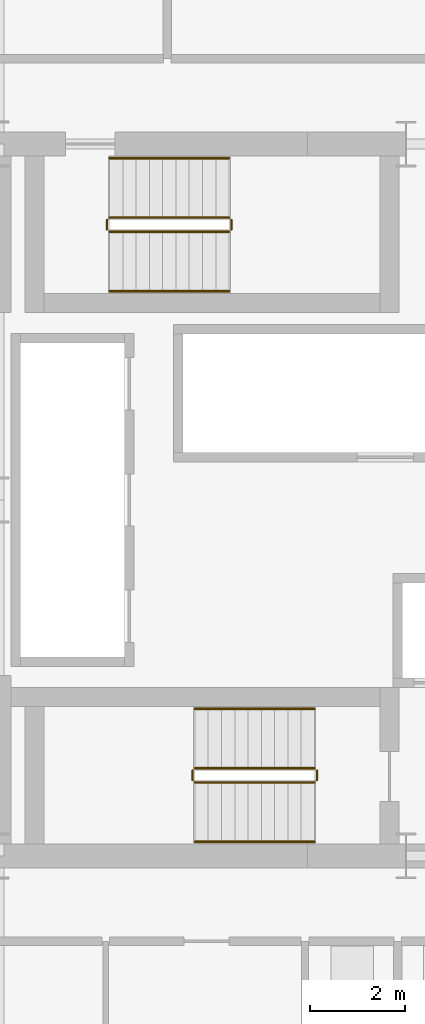
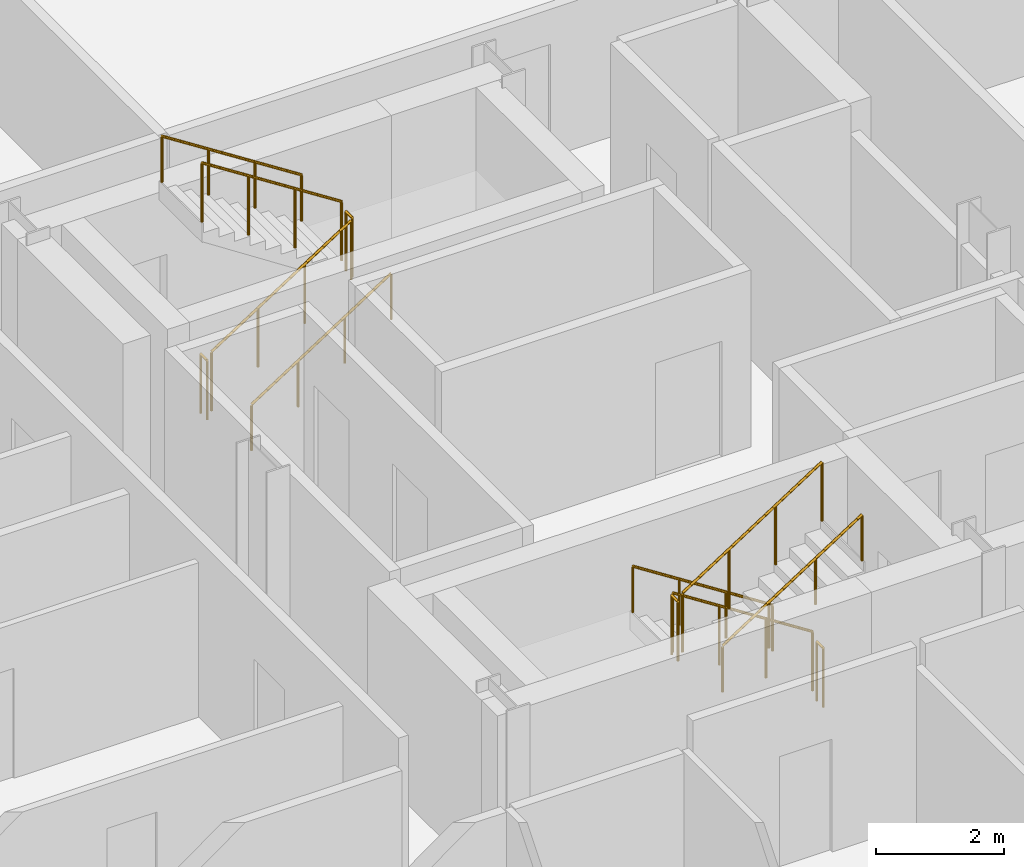
# One storey, part 22 of 23: 12 railings.
"""IFC4 building model written with IfcOpenShell, lengths in metres."""

from ifc_helpers import new_model, si_unit, direction, frame, origin, origin_2d, place, context, subcontext, project, spatial, circle, extrude, material, type_object, element, save


model = new_model("IFC4")

# Units and contexts
model_context = context("Model", 3, precision=1e-05, world=origin(), true_north=direction((0.0, 1.0)))
body_context = subcontext(model_context, "Body", "Model", "MODEL_VIEW")
ifc_project = project(units=[si_unit("LENGTHUNIT", "METRE"), si_unit("AREAUNIT", "SQUARE_METRE"), si_unit("VOLUMEUNIT", "CUBIC_METRE"), si_unit("PLANEANGLEUNIT", "RADIAN"), si_unit("MASSUNIT", "GRAM", prefix="KILO")], contexts=[model_context])

# Site, building, storey
site_placement = place(None, origin())
site = spatial("IfcSite", under=ifc_project, at=site_placement, CompositionType="ELEMENT")
building_placement = place(site_placement, origin())
building = spatial("IfcBuilding", under=site, at=building_placement, Name="Barlavira Tower and Art Museum", CompositionType="ELEMENT")
storey_placement = place(building_placement, frame((0.0, 0.0, 36.0)))
storey = spatial("IfcBuildingStorey", under=building, at=storey_placement, Name="L07", CompositionType="ELEMENT", Elevation=36.0)

# Railings
ifc_material = material(Name="Brushed stainless steel", Category="steel")
railing_type_1 = type_object("IfcRailingType", Name="Interior Void and Landing Guard Railing 1150", PredefinedType="GUARDRAIL", material=ifc_material)
railing_1_placement = place(storey_placement, frame((0.14990234375, -5.64990234375, 0.179931640625)))
element("IfcRailing", 1, at=railing_1_placement, inside=storey, type_object=railing_type_1, Name="L07 ST-T1 stair guard 1", PredefinedType="GUARDRAIL", context=body_context, shape_type="SweptSolid", body=[
    extrude(circle(Radius=0.02392578125, at=origin_2d()), frame((0.0, 0.0, 1.1259765625), z_axis=(-0.841162588446, 0.0, 0.540782303519), x_axis=(0.0, -1.0, 0.0)), (0.0, 0.0, 1.0), 2.995849609375),
    extrude(circle(Radius=0.02099609375, at=origin_2d()), origin(), (0.0, 0.0, 1.0), 1.101806640625),
    extrude(circle(Radius=0.02099609375, at=origin_2d()), frame((-0.840087890625, 0.0, 0.5400390625)), (0.0, 0.0, 1.0), 1.101806640625),
    extrude(circle(Radius=0.02099609375, at=origin_2d()), frame((-1.679931640625, 0.0, 1.080078125)), (0.0, 0.0, 1.0), 1.101806640625),
    extrude(circle(Radius=0.02099609375, at=origin_2d()), frame((-2.52001953125, 0.0, 1.6201171875)), (0.0, 0.0, 1.0), 1.101806640625),
])
railing_2_placement = place(storey_placement, frame((-2.419921875, -5.699951171875, 1.800048828125)))
element("IfcRailing", 2, at=railing_2_placement, inside=storey, type_object=railing_type_1, Name="L07 ST-T1 stair guard 2", PredefinedType="GUARDRAIL", context=body_context, shape_type="SweptSolid", body=[
    extrude(circle(Radius=0.02392578125, at=origin_2d()), frame((0.0, 0.0, 1.1259765625), z_axis=(0.0, -1.0, 0.0), x_axis=(1.0, 0.0, 0.0)), (0.0, 0.0, 1.0), 0.199951171875),
    extrude(circle(Radius=0.02099609375, at=origin_2d()), origin(), (0.0, 0.0, 1.0), 1.101806640625),
    extrude(circle(Radius=0.02099609375, at=origin_2d()), frame((0.0, -0.199951171875, 0.0)), (0.0, 0.0, 1.0), 1.101806640625),
])
railing_3_placement = place(storey_placement, frame((-2.3701171875, -5.949951171875, 1.97998046875)))
element("IfcRailing", 3, at=railing_3_placement, inside=storey, type_object=railing_type_1, Name="L07 ST-T1 stair guard 3", PredefinedType="GUARDRAIL", context=body_context, shape_type="SweptSolid", body=[
    extrude(circle(Radius=0.02392578125, at=origin_2d()), frame((0.0, 0.0, 1.1259765625), z_axis=(0.841162588446, 0.0, 0.540782303519), x_axis=(0.0, 1.0, 0.0)), (0.0, 0.0, 1.0), 2.995849609375),
    extrude(circle(Radius=0.02099609375, at=origin_2d()), origin(), (0.0, 0.0, 1.0), 1.101806640625),
    extrude(circle(Radius=0.02099609375, at=origin_2d()), frame((0.840087890625, 0.0, 0.5400390625)), (0.0, 0.0, 1.0), 1.101806640625),
    extrude(circle(Radius=0.02099609375, at=origin_2d()), frame((1.679931640625, 0.0, 1.080078125)), (0.0, 0.0, 1.0), 1.101806640625),
    extrude(circle(Radius=0.02099609375, at=origin_2d()), frame((2.52001953125, 0.0, 1.6201171875)), (0.0, 0.0, 1.0), 1.101806640625),
])
railing_4_placement = place(storey_placement, frame((0.199951171875, -5.699951171875, 0.0)))
element("IfcRailing", 4, at=railing_4_placement, inside=storey, type_object=railing_type_1, Name="L07 ST-T1 stair guard 4", PredefinedType="GUARDRAIL", context=body_context, shape_type="SweptSolid", body=[
    extrude(circle(Radius=0.02392578125, at=origin_2d()), frame((0.0, 0.0, 1.1259765625), z_axis=(0.0, -1.0, 0.0), x_axis=(1.0, 0.0, 0.0)), (0.0, 0.0, 1.0), 0.199951171875),
    extrude(circle(Radius=0.02099609375, at=origin_2d()), origin(), (0.0, 0.0, 1.0), 1.101806640625),
    extrude(circle(Radius=0.02099609375, at=origin_2d()), frame((0.0, -0.199951171875, 0.0)), (0.0, 0.0, 1.0), 1.101806640625),
])
railing_5_placement = place(storey_placement, frame((-4.169921875, 5.64990234375, 0.179931640625)))
element("IfcRailing", 5, at=railing_5_placement, inside=storey, type_object=railing_type_1, Name="L07 ST-T2 stair guard 1", PredefinedType="GUARDRAIL", context=body_context, shape_type="SweptSolid", body=[
    extrude(circle(Radius=0.02392578125, at=origin_2d()), frame((0.0, 0.0, 1.1259765625), z_axis=(0.841162588446, 0.0, 0.540782303519), x_axis=(0.0, 1.0, 0.0)), (0.0, 0.0, 1.0), 2.995849609375),
    extrude(circle(Radius=0.02099609375, at=origin_2d()), origin(), (0.0, 0.0, 1.0), 1.101806640625),
    extrude(circle(Radius=0.02099609375, at=origin_2d()), frame((0.840087890625, 0.0, 0.5400390625)), (0.0, 0.0, 1.0), 1.101806640625),
    extrude(circle(Radius=0.02099609375, at=origin_2d()), frame((1.679931640625, 0.0, 1.080078125)), (0.0, 0.0, 1.0), 1.101806640625),
    extrude(circle(Radius=0.02099609375, at=origin_2d()), frame((2.52001953125, 0.0, 1.6201171875)), (0.0, 0.0, 1.0), 1.101806640625),
])
railing_6_placement = place(storey_placement, frame((-1.60009765625, 5.699951171875, 1.800048828125)))
element("IfcRailing", 6, at=railing_6_placement, inside=storey, type_object=railing_type_1, Name="L07 ST-T2 stair guard 2", PredefinedType="GUARDRAIL", context=body_context, shape_type="SweptSolid", body=[
    extrude(circle(Radius=0.02392578125, at=origin_2d()), frame((0.0, 0.0, 1.1259765625), z_axis=(0.0, 1.0, 0.0), x_axis=(-1.0, 0.0, 0.0)), (0.0, 0.0, 1.0), 0.199951171875),
    extrude(circle(Radius=0.02099609375, at=origin_2d()), origin(), (0.0, 0.0, 1.0), 1.101806640625),
    extrude(circle(Radius=0.02099609375, at=origin_2d()), frame((0.0, 0.199951171875, 0.0)), (0.0, 0.0, 1.0), 1.101806640625),
])
railing_7_placement = place(storey_placement, frame((-1.64990234375, 5.949951171875, 1.97998046875)))
element("IfcRailing", 7, at=railing_7_placement, inside=storey, type_object=railing_type_1, Name="L07 ST-T2 stair guard 3", PredefinedType="GUARDRAIL", context=body_context, shape_type="SweptSolid", body=[
    extrude(circle(Radius=0.02392578125, at=origin_2d()), frame((0.0, 0.0, 1.1259765625), z_axis=(-0.841162588446, 0.0, 0.540782303519), x_axis=(0.0, -1.0, 0.0)), (0.0, 0.0, 1.0), 2.995849609375),
    extrude(circle(Radius=0.02099609375, at=origin_2d()), origin(), (0.0, 0.0, 1.0), 1.101806640625),
    extrude(circle(Radius=0.02099609375, at=origin_2d()), frame((-0.840087890625, 0.0, 0.5400390625)), (0.0, 0.0, 1.0), 1.101806640625),
    extrude(circle(Radius=0.02099609375, at=origin_2d()), frame((-1.679931640625, 0.0, 1.080078125)), (0.0, 0.0, 1.0), 1.101806640625),
    extrude(circle(Radius=0.02099609375, at=origin_2d()), frame((-2.52001953125, 0.0, 1.6201171875)), (0.0, 0.0, 1.0), 1.101806640625),
])
railing_8_placement = place(storey_placement, frame((-4.219970703125, 5.699951171875, 0.0)))
element("IfcRailing", 8, at=railing_8_placement, inside=storey, type_object=railing_type_1, Name="L07 ST-T2 stair guard 4", PredefinedType="GUARDRAIL", context=body_context, shape_type="SweptSolid", body=[
    extrude(circle(Radius=0.02392578125, at=origin_2d()), frame((0.0, 0.0, 1.1259765625), z_axis=(0.0, 1.0, 0.0), x_axis=(-1.0, 0.0, 0.0)), (0.0, 0.0, 1.0), 0.199951171875),
    extrude(circle(Radius=0.02099609375, at=origin_2d()), origin(), (0.0, 0.0, 1.0), 1.101806640625),
    extrude(circle(Radius=0.02099609375, at=origin_2d()), frame((0.0, 0.199951171875, 0.0)), (0.0, 0.0, 1.0), 1.101806640625),
])
railing_type_2 = type_object("IfcRailingType", Name="Stair Pitch Tubular Steel Handrail 920", PredefinedType="HANDRAIL", material=ifc_material)
railing_9_placement = place(storey_placement, frame((0.14990234375, -4.39990234375, 0.179931640625)))
element("IfcRailing", 9, at=railing_9_placement, inside=storey, type_object=railing_type_2, Name="L07 ST-T1 stair handrail 1", PredefinedType="HANDRAIL", context=body_context, shape_type="SweptSolid", body=[
    extrude(circle(Radius=0.02392578125, at=origin_2d()), frame((0.0, 0.0, 0.8759765625), z_axis=(-0.841162588446, 0.0, 0.540782303519), x_axis=(0.0, -1.0, 0.0)), (0.0, 0.0, 1.0), 2.995849609375),
    extrude(circle(Radius=0.02099609375, at=origin_2d()), origin(), (0.0, 0.0, 1.0), 0.851806640625),
    extrude(circle(Radius=0.02099609375, at=origin_2d()), frame((-0.840087890625, 0.0, 0.5400390625)), (0.0, 0.0, 1.0), 0.851806640625),
    extrude(circle(Radius=0.02099609375, at=origin_2d()), frame((-1.679931640625, 0.0, 1.080078125)), (0.0, 0.0, 1.0), 0.851806640625),
    extrude(circle(Radius=0.02099609375, at=origin_2d()), frame((-2.52001953125, 0.0, 1.6201171875)), (0.0, 0.0, 1.0), 0.851806640625),
])
for number, where, name in (
    (10, (-2.3701171875, -7.199951171875, 1.97998046875), "L07 ST-T1 stair handrail 2"),
    (11, (-4.169921875, 4.39990234375, 0.179931640625), "L07 ST-T2 stair handrail 1"),
):
    element("IfcRailing", number, at=place(storey_placement, frame(where)), inside=storey, type_object=railing_type_2, Name=name, PredefinedType="HANDRAIL", context=body_context, shape_type="SweptSolid", body=[
        extrude(circle(Radius=0.02392578125, at=origin_2d()), frame((0.0, 0.0, 0.8759765625), z_axis=(0.841162588446, 0.0, 0.540782303519), x_axis=(0.0, 1.0, 0.0)), (0.0, 0.0, 1.0), 2.995849609375),
        extrude(circle(Radius=0.02099609375, at=origin_2d()), origin(), (0.0, 0.0, 1.0), 0.851806640625),
        extrude(circle(Radius=0.02099609375, at=origin_2d()), frame((0.840087890625, 0.0, 0.5400390625)), (0.0, 0.0, 1.0), 0.851806640625),
        extrude(circle(Radius=0.02099609375, at=origin_2d()), frame((1.679931640625, 0.0, 1.080078125)), (0.0, 0.0, 1.0), 0.851806640625),
        extrude(circle(Radius=0.02099609375, at=origin_2d()), frame((2.52001953125, 0.0, 1.6201171875)), (0.0, 0.0, 1.0), 0.851806640625),
    ])
railing_10_placement = place(storey_placement, frame((-1.64990234375, 7.199951171875, 1.97998046875)))
element("IfcRailing", 12, at=railing_10_placement, inside=storey, type_object=railing_type_2, Name="L07 ST-T2 stair handrail 2", PredefinedType="HANDRAIL", context=body_context, shape_type="SweptSolid", body=[
    extrude(circle(Radius=0.02392578125, at=origin_2d()), frame((0.0, 0.0, 0.8759765625), z_axis=(-0.841162588446, 0.0, 0.540782303519), x_axis=(0.0, -1.0, 0.0)), (0.0, 0.0, 1.0), 2.995849609375),
    extrude(circle(Radius=0.02099609375, at=origin_2d()), origin(), (0.0, 0.0, 1.0), 0.851806640625),
    extrude(circle(Radius=0.02099609375, at=origin_2d()), frame((-0.840087890625, 0.0, 0.5400390625)), (0.0, 0.0, 1.0), 0.851806640625),
    extrude(circle(Radius=0.02099609375, at=origin_2d()), frame((-1.679931640625, 0.0, 1.080078125)), (0.0, 0.0, 1.0), 0.851806640625),
    extrude(circle(Radius=0.02099609375, at=origin_2d()), frame((-2.52001953125, 0.0, 1.6201171875)), (0.0, 0.0, 1.0), 0.851806640625),
])

save(model, "model.ifc")
